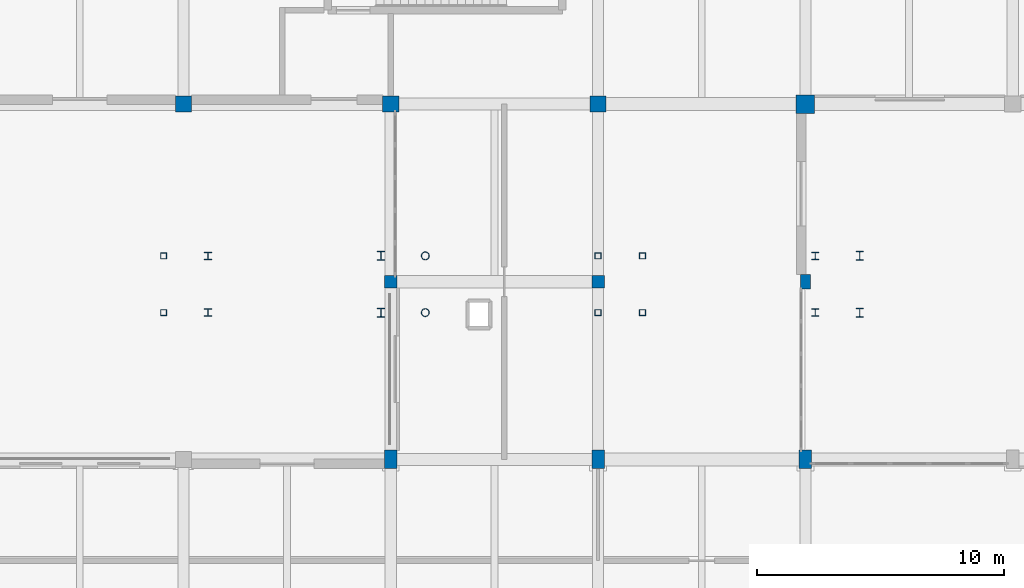
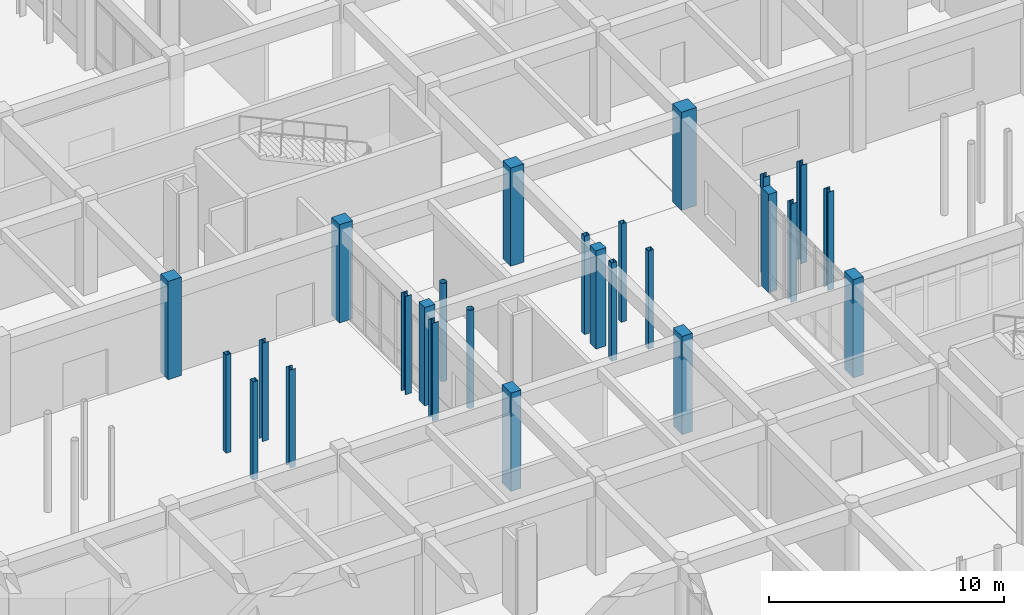
# One storey, part 19 of 121: 26 columns.
"""IFC4 building model written with IfcOpenShell, lengths in metres."""

from ifc_helpers import new_model, si_unit, direction, frame, origin, origin_2d, place, context, subcontext, project, spatial, rectangle, hollow_rectangle, hollow_circle, i_section, extrude, material, material_profile, profile_set, type_object, element, save


model = new_model("IFC4")

# Units and contexts
model_context = context("Model", 3, precision=1e-05, world=origin(), true_north=direction((0.0, 1.0)))
body_context = subcontext(model_context, "Body", "Model", "MODEL_VIEW")
ifc_project = project(units=[si_unit("LENGTHUNIT", "METRE"), si_unit("AREAUNIT", "SQUARE_METRE"), si_unit("VOLUMEUNIT", "CUBIC_METRE"), si_unit("PLANEANGLEUNIT", "RADIAN"), si_unit("MASSUNIT", "GRAM", prefix="KILO")], contexts=[model_context])

# Site, building, storey
site_placement = place(None, origin())
site = spatial("IfcSite", under=ifc_project, at=site_placement, CompositionType="ELEMENT")
building_placement = place(site_placement, origin())
building = spatial("IfcBuilding", under=site, at=building_placement, Name="Malvenik Polytechnic", CompositionType="ELEMENT")
storey_placement = place(building_placement, origin())
storey = spatial("IfcBuildingStorey", under=building, at=storey_placement, Name="L00", CompositionType="ELEMENT", Elevation=0.0)

# Columns
ifc_material_1 = material(Name="Concrete C40/50", Category="concrete")
ifc_material_profile_1 = material_profile(ifc_material_1, rectangle(XDim=0.75, YDim=0.75, at=origin_2d()), Name="RC COL 750x750")
ifc_profile_set_1 = profile_set([ifc_material_profile_1], Name="Concrete C40/50")
column_type_1 = type_object("IfcColumnType", Name="STR-COL-C-03", PredefinedType="COLUMN", material=ifc_profile_set_1)
column_1_placement = place(storey_placement, frame((92.39990234375, 79.199951171875, 0.0), z_axis=(0.0, 0.0, 1.0), x_axis=(1.0, 0.0, 0.0)))
element("IfcColumn", 1, at=column_1_placement, inside=storey, type_object=column_type_1, Name="Column C-03 L00 (92.4,79.2)", PredefinedType="COLUMN", context=body_context, shape_type="SweptSolid", body=[
    extrude(rectangle(XDim=0.75, YDim=0.75, at=origin_2d()), origin(), (0.0, 0.0, 1.0), 5.10009765625),
])
ifc_material_2 = material(Name="Concrete C35/45", Category="concrete")
ifc_material_profile_2 = material_profile(ifc_material_2, rectangle(XDim=0.64990234375, YDim=0.64990234375, at=origin_2d()), Name="RC COL 650x650")
ifc_profile_set_2 = profile_set([ifc_material_profile_2], Name="Concrete C35/45")
column_type_2 = type_object("IfcColumnType", Name="STR-COL-C-05", PredefinedType="COLUMN", material=ifc_profile_set_2)
for number, where, z_axis, x_axis, name in (
    (2, (67.199951171875, 79.199951171875, 0.0), (0.0, 0.0, 1.0), (1.0, 0.0, 0.0), "Column C-05 L00 (67.2,79.2)"),
    (3, (75.60009765625, 79.199951171875, 0.0), (0.0, 0.0, 1.0), (1.0, 0.0, 0.0), "Column C-05 L00 (75.6,79.2)"),
    (4, (84.0, 79.199951171875, 0.0), (0.0, 0.0, 1.0), (1.0, 0.0, 0.0), "Column C-05 L00 (84.0,79.2)"),
):
    element("IfcColumn", number, at=place(storey_placement, frame(where, z_axis=z_axis, x_axis=x_axis)), inside=storey, type_object=column_type_2, Name=name, PredefinedType="COLUMN", context=body_context, shape_type="SweptSolid", body=[
        extrude(rectangle(XDim=0.64990234375, YDim=0.64990234375, at=origin_2d()), origin(), (0.0, 0.0, 1.0), 5.10009765625),
    ])
ifc_material_profile_3 = material_profile(ifc_material_2, rectangle(XDim=0.5, YDim=0.5, at=origin_2d()), Name="RC COL 500x500")
ifc_profile_set_3 = profile_set([ifc_material_profile_3], Name="Concrete C35/45")
column_type_3 = type_object("IfcColumnType", Name="STR-COL-C-08", PredefinedType="COLUMN", material=ifc_profile_set_3)
for number, where, z_axis, x_axis, name in (
    (5, (75.60009765625, 72.0, 0.0), (0.0, 0.0, 1.0), (1.0, 0.0, 0.0), "Column C-08 L00 (75.6,72.0)"),
    (6, (84.0, 72.0, 0.0), (0.0, 0.0, 1.0), (1.0, 0.0, 0.0), "Column C-08 L00 (84.0,72.0)"),
):
    element("IfcColumn", number, at=place(storey_placement, frame(where, z_axis=z_axis, x_axis=x_axis)), inside=storey, type_object=column_type_3, Name=name, PredefinedType="COLUMN", context=body_context, shape_type="SweptSolid", body=[
        extrude(rectangle(XDim=0.5, YDim=0.5, at=origin_2d()), origin(), (0.0, 0.0, 1.0), 5.10009765625),
    ])
ifc_material_profile_4 = material_profile(ifc_material_2, rectangle(XDim=0.5, YDim=0.75, at=origin_2d()), Name="RC COL 750x500")
ifc_profile_set_4 = profile_set([ifc_material_profile_4], Name="Concrete C35/45")
column_type_4 = type_object("IfcColumnType", Name="STR-COL-C-14", PredefinedType="COLUMN", material=ifc_profile_set_4)
for number, where, z_axis, x_axis, name in (
    (7, (75.60009765625, 64.800048828125, 0.0), (0.0, 0.0, 1.0), (1.0, 0.0, 0.0), "Column C-14 L00 (75.6,64.8)"),
    (8, (84.0, 64.800048828125, 0.0), (0.0, 0.0, 1.0), (1.0, 0.0, 0.0), "Column C-14 L00 (84.0,64.8)"),
    (9, (92.39990234375, 64.800048828125, 0.0), (0.0, 0.0, 1.0), (1.0, 0.0, 0.0), "Column C-14 L00 (92.4,64.8)"),
):
    element("IfcColumn", number, at=place(storey_placement, frame(where, z_axis=z_axis, x_axis=x_axis)), inside=storey, type_object=column_type_4, Name=name, PredefinedType="COLUMN", context=body_context, shape_type="SweptSolid", body=[
        extrude(rectangle(XDim=0.5, YDim=0.75, at=origin_2d()), origin(), (0.0, 0.0, 1.0), 5.10009765625),
    ])
ifc_material_profile_5 = material_profile(ifc_material_2, rectangle(XDim=0.39990234375, YDim=0.60009765625, at=origin_2d()), Name="RC COL 600x400")
ifc_profile_set_5 = profile_set([ifc_material_profile_5], Name="Concrete C35/45")
column_type_5 = type_object("IfcColumnType", Name="STR-COL-C-15", PredefinedType="COLUMN", material=ifc_profile_set_5)
column_2_placement = place(storey_placement, frame((92.39990234375, 72.0, 0.0), z_axis=(0.0, 0.0, 1.0), x_axis=(1.0, 0.0, 0.0)))
element("IfcColumn", 10, at=column_2_placement, inside=storey, type_object=column_type_5, Name="Column C-15 L00 (92.4,72.0)", PredefinedType="COLUMN", context=body_context, shape_type="SweptSolid", body=[
    extrude(rectangle(XDim=0.39990234375, YDim=0.60009765625, at=origin_2d()), origin(), (0.0, 0.0, 1.0), 5.10009765625),
])
ifc_material_3 = material(Name="Steel S355J2H", Category="steel")
ifc_material_profile_6 = material_profile(ifc_material_3, hollow_rectangle(XDim=0.25, YDim=0.25, WallThickness=0.010009765625, at=origin_2d()), Name="SHS 250x250x10.0")
ifc_profile_set_6 = profile_set([ifc_material_profile_6], Name="Steel S355J2H")
column_type_6 = type_object("IfcColumnType", Name="STR-SCOL-SC-01", PredefinedType="COLUMN", material=ifc_profile_set_6)
for number, where, z_axis, x_axis, name in (
    (11, (85.800048828125, 70.75, 0.0), (0.0, 0.0, 1.0), (1.0, 0.0, 0.0), "Bridge-Ramp Support Column SC-01 L00"),
    (12, (85.800048828125, 73.050048828125, 0.0), (0.0, 0.0, 1.0), (1.0, 0.0, 0.0), "Bridge-Ramp Support Column SC-01 L00"),
    (13, (84.0, 70.75, 0.0), (0.0, 0.0, 1.0), (1.0, 0.0, 0.0), "Bridge-Ramp Support Column SC-01 L00"),
    (14, (84.0, 73.050048828125, 0.0), (0.0, 0.0, 1.0), (1.0, 0.0, 0.0), "Bridge-Ramp Support Column SC-01 L00"),
    (15, (66.39990234375, 70.75, 0.0), (0.0, 0.0, 1.0), (1.0, 0.0, 0.0), "Bridge-Ramp Support Column SC-01 L00"),
    (16, (66.39990234375, 73.050048828125, 0.0), (0.0, 0.0, 1.0), (1.0, 0.0, 0.0), "Bridge-Ramp Support Column SC-01 L00"),
):
    element("IfcColumn", number, at=place(storey_placement, frame(where, z_axis=z_axis, x_axis=x_axis)), inside=storey, type_object=column_type_6, Name=name, PredefinedType="COLUMN", context=body_context, shape_type="SweptSolid", body=[
        extrude(hollow_rectangle(XDim=0.25, YDim=0.25, WallThickness=0.010009765625, at=origin_2d()), origin(), (0.0, 0.0, 1.0), 5.10009765625),
    ])
ifc_material_4 = material(Name="Steel S355", Category="steel")
ifc_material_profile_7 = material_profile(ifc_material_4, i_section(OverallWidth=0.300048828125, OverallDepth=0.360107421875, WebThickness=0.012451171875, FlangeThickness=0.0224609375, FilletRadius=0.027099609375, at=origin_2d()), Name="HEB 360")
ifc_profile_set_7 = profile_set([ifc_material_profile_7], Name="Steel S355")
column_type_7 = type_object("IfcColumnType", Name="STR-SCOL-SC-03", PredefinedType="COLUMN", material=ifc_profile_set_7)
for number, where, z_axis, x_axis, name in (
    (17, (94.60009765625, 70.75, 0.0), (0.0, 0.0, 1.0), (1.0, 0.0, 0.0), "Bridge-Ramp Support Column SC-03 L00"),
    (18, (94.60009765625, 73.050048828125, 0.0), (0.0, 0.0, 1.0), (1.0, 0.0, 0.0), "Bridge-Ramp Support Column SC-03 L00"),
    (19, (75.199951171875, 70.75, 0.0), (0.0, 0.0, 1.0), (1.0, 0.0, 0.0), "Bridge-Ramp Support Column SC-03 L00"),
    (20, (75.199951171875, 73.050048828125, 0.0), (0.0, 0.0, 1.0), (1.0, 0.0, 0.0), "Bridge-Ramp Support Column SC-03 L00"),
):
    element("IfcColumn", number, at=place(storey_placement, frame(where, z_axis=z_axis, x_axis=x_axis)), inside=storey, type_object=column_type_7, Name=name, PredefinedType="COLUMN", context=body_context, shape_type="SweptSolid", body=[
        extrude(i_section(OverallWidth=0.300048828125, OverallDepth=0.360107421875, WebThickness=0.012451171875, FlangeThickness=0.0224609375, FilletRadius=0.027099609375, at=origin_2d()), origin(), (0.0, 0.0, 1.0), 5.10009765625),
    ])
ifc_material_profile_8 = material_profile(ifc_material_3, hollow_circle(Radius=0.161865234375, WallThickness=0.012451171875, at=origin_2d()), Name="CHS 323.9x12.5")
ifc_profile_set_8 = profile_set([ifc_material_profile_8], Name="Steel S355J2H")
column_type_8 = type_object("IfcColumnType", Name="STR-SCOL-SC-04", PredefinedType="COLUMN", material=ifc_profile_set_8)
for number, where, z_axis, x_axis, name in (
    (21, (77.0, 70.75, 0.0), (0.0, 0.0, 1.0), (1.0, 0.0, 0.0), "Bridge-Ramp Support Column SC-04 L00"),
    (22, (77.0, 73.050048828125, 0.0), (0.0, 0.0, 1.0), (1.0, 0.0, 0.0), "Bridge-Ramp Support Column SC-04 L00"),
):
    element("IfcColumn", number, at=place(storey_placement, frame(where, z_axis=z_axis, x_axis=x_axis)), inside=storey, type_object=column_type_8, Name=name, PredefinedType="COLUMN", context=body_context, shape_type="SweptSolid", body=[
        extrude(hollow_circle(Radius=0.161865234375, WallThickness=0.012451171875, at=origin_2d()), origin(), (0.0, 0.0, 1.0), 5.10009765625),
    ])
ifc_material_profile_9 = material_profile(ifc_material_4, i_section(OverallWidth=0.300048828125, OverallDepth=0.300048828125, WebThickness=0.010986328125, FlangeThickness=0.01904296875, FilletRadius=0.027099609375, at=origin_2d()), Name="HEB 300")
ifc_profile_set_9 = profile_set([ifc_material_profile_9], Name="Steel S355")
column_type_9 = type_object("IfcColumnType", Name="STR-SCOL-SC-05", PredefinedType="COLUMN", material=ifc_profile_set_9)
for number, where, z_axis, x_axis, name in (
    (23, (92.800048828125, 70.75, 0.0), (0.0, 0.0, 1.0), (1.0, 0.0, 0.0), "Bridge-Ramp Support Column SC-05 L00"),
    (24, (92.800048828125, 73.050048828125, 0.0), (0.0, 0.0, 1.0), (1.0, 0.0, 0.0), "Bridge-Ramp Support Column SC-05 L00"),
    (25, (68.199951171875, 70.75, 0.0), (0.0, 0.0, 1.0), (1.0, 0.0, 0.0), "Bridge-Ramp Support Column SC-05 L00"),
    (26, (68.199951171875, 73.050048828125, 0.0), (0.0, 0.0, 1.0), (1.0, 0.0, 0.0), "Bridge-Ramp Support Column SC-05 L00"),
):
    element("IfcColumn", number, at=place(storey_placement, frame(where, z_axis=z_axis, x_axis=x_axis)), inside=storey, type_object=column_type_9, Name=name, PredefinedType="COLUMN", context=body_context, shape_type="SweptSolid", body=[
        extrude(i_section(OverallWidth=0.300048828125, OverallDepth=0.300048828125, WebThickness=0.010986328125, FlangeThickness=0.01904296875, FilletRadius=0.027099609375, at=origin_2d()), origin(), (0.0, 0.0, 1.0), 5.10009765625),
    ])

save(model, "model.ifc")
